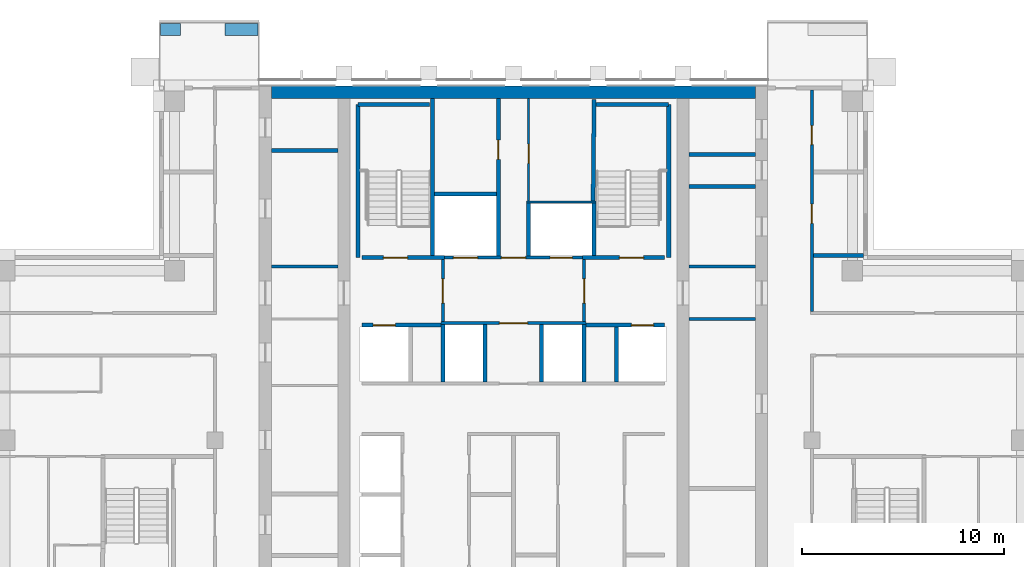
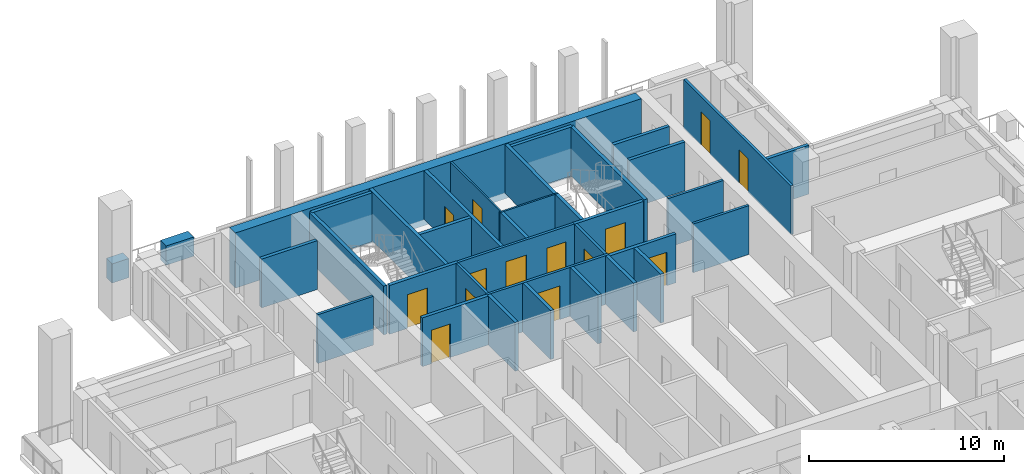
# One storey, part 11 of 17: 36 walls, 14 doors, 14 openings.
"""IFC4 building model written with IfcOpenShell, lengths in metres."""

from ifc_helpers import new_model, si_unit, direction, frame, frame_2d, origin, place, context, subcontext, project, spatial, rectangle, extrude, material, layer, layer_set, type_object, element, fill, save


model = new_model("IFC4")

# Units and contexts
model_context = context("Model", 3, precision=1e-05, world=origin(), true_north=direction((0.0, 1.0)))
body_context = subcontext(model_context, "Body", "Model", "MODEL_VIEW")
ifc_project = project(units=[si_unit("LENGTHUNIT", "METRE"), si_unit("AREAUNIT", "SQUARE_METRE"), si_unit("VOLUMEUNIT", "CUBIC_METRE"), si_unit("PLANEANGLEUNIT", "RADIAN"), si_unit("MASSUNIT", "GRAM", prefix="KILO")], contexts=[model_context])

# Site, building, storey
site_placement = place(None, origin())
site = spatial("IfcSite", under=ifc_project, at=site_placement, CompositionType="ELEMENT")
building_placement = place(site_placement, origin())
building = spatial("IfcBuilding", under=site, at=building_placement, Name="Vermilion Ogive Tower", CompositionType="ELEMENT")
storey_placement = place(building_placement, frame((0.0, 0.0, 192.800048828125)))
storey = spatial("IfcBuildingStorey", under=building, at=storey_placement, Name="L50", CompositionType="ELEMENT", Elevation=192.800048828125)

# Walls
ifc_material_1 = material(Name="Concrete B60", Category="concrete")
ifc_layer_1 = layer(ifc_material_1, 0.60009765625)
ifc_layer_set_1 = layer_set([ifc_layer_1], Name="Core wall 600 B60")
wall_type_1 = type_object("IfcWallType", Name="Core wall 600 B60", PredefinedType="SHEAR", material=ifc_layer_set_1)
wall_1_placement = place(storey_placement, frame((-12.0, 21.449951171875, -0.400146484375), z_axis=(0.0, 0.0, 1.0), x_axis=(1.0, 0.0, 0.0)))
element("IfcWall", 1, at=wall_1_placement, inside=storey, type_object=wall_type_1, Name="L50-CORE-N", PredefinedType="SHEAR", context=body_context, shape_type="SweptSolid", body=[
    extrude(rectangle(XDim=24.0, YDim=0.60009765625, at=frame_2d((12.0, 0.0))), origin(), (0.0, 0.0, 1.0), 3.4501953125),
])
ifc_material_2 = material(Name="Gypsum board partition on steel studs", Category="steel")
ifc_layer_2 = layer(ifc_material_2, 0.10009765625)
ifc_layer_set_2 = layer_set([ifc_layer_2], Name="Partition 100 bath")
wall_type_2 = type_object("IfcWallType", Name="Partition 100 bath", PredefinedType="PARTITIONING", material=ifc_layer_set_2)
wall_2_placement = place(storey_placement, frame((0.64990234375, 16.0, 0.0), z_axis=(0.0, 0.0, 1.0), x_axis=(1.0, 0.0, 0.0)))
element("IfcWall", 2, at=wall_2_placement, inside=storey, type_object=wall_type_2, Name="L50-CK-W-W018", PredefinedType="PARTITIONING", context=body_context, shape_type="SweptSolid", body=[
    extrude(rectangle(XDim=3.4501953125, YDim=0.10009765625, at=frame_2d((1.72509765625, 0.0))), origin(), (0.0, 0.0, 1.0), 3.050048828125),
])

# Wall, opening, door
wall_3_placement = place(storey_placement, frame((0.75, 16.050048828125, 0.0), z_axis=(0.0, 0.0, 1.0), x_axis=(0.0, 1.0, 0.0)))
wall_3 = element("IfcWall", 3, at=wall_3_placement, inside=storey, type_object=wall_type_2, Name="L50-CK-W-W030", PredefinedType="PARTITIONING", context=body_context, shape_type="SweptSolid", body=[
    extrude(rectangle(XDim=5.098876953125, YDim=0.10009765625, at=frame_2d((2.54931640625, 0.0))), origin(), (0.0, 0.0, 1.0), 3.050048828125),
])
opening_1_placement = place(wall_3_placement, frame((1.875, 0.0, 0.0)))
opening_1 = element("IfcOpeningElement", 4, at=opening_1_placement, cuts=wall_3, Name="Opening DAA455", PredefinedType="OPENING", context=body_context, shape_type="SweptSolid", body=[
    extrude(rectangle(XDim=0.949951171875, YDim=2.10009765625, at=frame_2d((0.47509765625, 1.050048828125))), frame((0.0, 0.06005859375, 0.0), z_axis=(0.0, -1.0, 0.0), x_axis=(1.0, 0.0, 0.0)), (0.0, 0.0, 1.0), 0.1201171875),
])
ifc_material_3 = material(Name="Timber door leaf", Category="wood")
door_type_1 = type_object("IfcDoorType", Name="Service door 950 x 2100 FD60", OperationType="SINGLE_SWING_LEFT", PredefinedType="DOOR", material=ifc_material_3)
door_1_placement = place(opening_1_placement, origin())
door_1 = element("IfcDoor", 5, at=door_1_placement, inside=storey, type_object=door_type_1, Name="L50-CK-D-D022", OperationType="SINGLE_SWING_LEFT", OverallHeight=2.10009765625, OverallWidth=0.949951171875, PredefinedType="DOOR", context=body_context, shape_type="SweptSolid", body=[
    extrude(rectangle(XDim=0.949951171875, YDim=2.10009765625, at=frame_2d((0.47509765625, 1.050048828125))), frame((0.0, 0.02490234375, 0.0), z_axis=(0.0, -1.0, 0.0), x_axis=(1.0, 0.0, 0.0)), (0.0, 0.0, 1.0), 0.050048828125),
])
fill(opening_1, door_1)

# Wall, openings, doors
ifc_material_4 = material(Name="Gypsum board partition on steel studs", Category="steel")
ifc_layer_3 = layer(ifc_material_4, 0.14990234375)
ifc_layer_set_3 = layer_set([ifc_layer_3], Name="Partition 150 corridor")
wall_type_3 = type_object("IfcWallType", Name="Partition 150 corridor", PredefinedType="PARTITIONING", material=ifc_layer_set_3)
wall_4_placement = place(storey_placement, frame((14.800048828125, 10.574951171875, 0.0), z_axis=(0.0, 0.0, 1.0), x_axis=(0.0, 1.0, 0.0)))
wall_4 = element("IfcWall", 6, at=wall_4_placement, inside=storey, type_object=wall_type_3, Name="L50-W-W078", PredefinedType="PARTITIONING", context=body_context, shape_type="SweptSolid", body=[
    extrude(rectangle(XDim=10.97509765625, YDim=0.14990234375, at=frame_2d((5.487548828125, 0.0))), origin(), (0.0, 0.0, 1.0), 3.050048828125),
])
opening_2_placement = place(wall_4_placement, frame((4.375, 0.0, 0.0)))
opening_2 = element("IfcOpeningElement", 7, at=opening_2_placement, cuts=wall_4, Name="Opening D4G3023", PredefinedType="OPENING", context=body_context, shape_type="SweptSolid", body=[
    extrude(rectangle(XDim=0.949951171875, YDim=2.10009765625, at=frame_2d((0.47509765625, 1.050048828125))), frame((0.0, 0.0849609375, 0.0), z_axis=(0.0, -1.0, 0.0), x_axis=(1.0, 0.0, 0.0)), (0.0, 0.0, 1.0), 0.169921875),
])
opening_3_placement = place(wall_4_placement, frame((8.275146484375, 0.0, 0.0)))
opening_3 = element("IfcOpeningElement", 8, at=opening_3_placement, cuts=wall_4, Name="Opening D4G3024", PredefinedType="OPENING", context=body_context, shape_type="SweptSolid", body=[
    extrude(rectangle(XDim=0.949951171875, YDim=2.10009765625, at=frame_2d((0.47509765625, 1.050048828125))), frame((0.0, 0.0849609375, 0.0), z_axis=(0.0, -1.0, 0.0), x_axis=(1.0, 0.0, 0.0)), (0.0, 0.0, 1.0), 0.169921875),
])
ifc_material_5 = material(Name="Timber door leaf", Category="wood")
door_type_2 = type_object("IfcDoorType", Name="Unit door 950 x 2100 FD30S", OperationType="SINGLE_SWING_LEFT", PredefinedType="DOOR", material=ifc_material_5)
door_2_placement = place(opening_2_placement, origin())
door_2 = element("IfcDoor", 9, at=door_2_placement, inside=storey, type_object=door_type_2, Name="L50-D-D023", OperationType="SINGLE_SWING_RIGHT", OverallHeight=2.10009765625, OverallWidth=0.949951171875, PredefinedType="DOOR", context=body_context, shape_type="SweptSolid", body=[
    extrude(rectangle(XDim=0.949951171875, YDim=2.10009765625, at=frame_2d((0.47509765625, 1.050048828125))), frame((0.0, 0.02490234375, 0.0), z_axis=(0.0, -1.0, 0.0), x_axis=(1.0, 0.0, 0.0)), (0.0, 0.0, 1.0), 0.050048828125),
])
fill(opening_2, door_2)
door_3_placement = place(opening_3_placement, origin())
door_3 = element("IfcDoor", 10, at=door_3_placement, inside=storey, type_object=door_type_2, Name="L50-D-D024", OperationType="SINGLE_SWING_LEFT", OverallHeight=2.10009765625, OverallWidth=0.949951171875, PredefinedType="DOOR", context=body_context, shape_type="SweptSolid", body=[
    extrude(rectangle(XDim=0.949951171875, YDim=2.10009765625, at=frame_2d((0.47509765625, 1.050048828125))), frame((0.0, 0.02490234375, 0.0), z_axis=(0.0, -1.0, 0.0), x_axis=(1.0, 0.0, 0.0)), (0.0, 0.0, 1.0), 0.050048828125),
])
fill(opening_3, door_3)

# Wall, opening, door
wall_5_placement = place(storey_placement, frame((-3.60009765625, 10.0, 0.0), z_axis=(0.0, 0.0, 1.0), x_axis=(1.0, 0.0, 0.0)))
wall_5 = element("IfcWall", 11, at=wall_5_placement, inside=storey, type_object=wall_type_3, Name="L50-CK-W-W014", PredefinedType="PARTITIONING", context=body_context, shape_type="SweptSolid", body=[
    extrude(rectangle(XDim=7.2001953125, YDim=0.14990234375, at=frame_2d((3.60009765625, 0.0))), origin(), (0.0, 0.0, 1.0), 3.050048828125),
])
opening_4_placement = place(wall_5_placement, frame((2.900146484375, 0.0, 0.0)))
opening_4 = element("IfcOpeningElement", 12, at=opening_4_placement, cuts=wall_5, Name="Opening DAA446", PredefinedType="OPENING", context=body_context, shape_type="SweptSolid", body=[
    extrude(rectangle(XDim=1.39990234375, YDim=2.10009765625, at=frame_2d((0.699951171875, 1.050048828125))), frame((0.0, 0.0849609375, 0.0), z_axis=(0.0, -1.0, 0.0), x_axis=(1.0, 0.0, 0.0)), (0.0, 0.0, 1.0), 0.169921875),
])
ifc_material_6 = material(Name="Timber door leaf", Category="wood")
door_type_3 = type_object("IfcDoorType", Name="Lobby door 1400 x 2100 FD60S", OperationType="SINGLE_SWING_LEFT", PredefinedType="DOOR", material=ifc_material_6)
door_4_placement = place(opening_4_placement, origin())
door_4 = element("IfcDoor", 13, at=door_4_placement, inside=storey, type_object=door_type_3, Name="L50-CK-D-D017", OperationType="SINGLE_SWING_RIGHT", OverallHeight=2.10009765625, OverallWidth=1.39990234375, PredefinedType="DOOR", context=body_context, shape_type="SweptSolid", body=[
    extrude(rectangle(XDim=1.39990234375, YDim=2.10009765625, at=frame_2d((0.699951171875, 1.050048828125))), frame((0.0, 0.02490234375, 0.0), z_axis=(0.0, -1.0, 0.0), x_axis=(1.0, 0.0, 0.0)), (0.0, 0.0, 1.0), 0.050048828125),
])
fill(opening_4, door_4)

# Wall, openings, doors
wall_6_placement = place(storey_placement, frame((-3.574951171875, 13.25, 0.0), z_axis=(0.0, 0.0, 1.0), x_axis=(1.0, 0.0, 0.0)))
wall_6 = element("IfcWall", 14, at=wall_6_placement, inside=storey, type_object=wall_type_3, Name="L50-CK-W-W016", PredefinedType="PARTITIONING", context=body_context, shape_type="SweptSolid", body=[
    extrude(rectangle(XDim=7.14990234375, YDim=0.14990234375, at=frame_2d((3.574951171875, 0.0))), origin(), (0.0, 0.0, 1.0), 3.050048828125),
])
opening_5_placement = place(wall_6_placement, frame((0.599853515625, 0.0, 0.0)))
opening_5 = element("IfcOpeningElement", 15, at=opening_5_placement, cuts=wall_6, Name="Opening DAA466", PredefinedType="OPENING", context=body_context, shape_type="SweptSolid", body=[
    extrude(rectangle(XDim=1.199951171875, YDim=2.10009765625, at=frame_2d((0.60009765625, 1.050048828125))), frame((0.0, 0.0849609375, 0.0), z_axis=(0.0, -1.0, 0.0), x_axis=(1.0, 0.0, 0.0)), (0.0, 0.0, 1.0), 0.169921875),
])
opening_6_placement = place(wall_6_placement, frame((5.39990234375, 0.0, 0.0)))
opening_6 = element("IfcOpeningElement", 16, at=opening_6_placement, cuts=wall_6, Name="Opening DAA465", PredefinedType="OPENING", context=body_context, shape_type="SweptSolid", body=[
    extrude(rectangle(XDim=1.10009765625, YDim=2.10009765625, at=frame_2d((0.550048828125, 1.050048828125))), frame((0.0, 0.0849609375, 0.0), z_axis=(0.0, -1.0, 0.0), x_axis=(1.0, 0.0, 0.0)), (0.0, 0.0, 1.0), 0.169921875),
])
opening_7_placement = place(wall_6_placement, frame((2.974853515625, 0.0, 0.0)))
opening_7 = element("IfcOpeningElement", 17, at=opening_7_placement, cuts=wall_6, Name="Opening DAA447", PredefinedType="OPENING", context=body_context, shape_type="SweptSolid", body=[
    extrude(rectangle(XDim=1.199951171875, YDim=2.10009765625, at=frame_2d((0.60009765625, 1.050048828125))), frame((0.0, 0.0849609375, 0.0), z_axis=(0.0, -1.0, 0.0), x_axis=(1.0, 0.0, 0.0)), (0.0, 0.0, 1.0), 0.169921875),
])
ifc_material_7 = material(Name="Stainless steel", Category="steel")
door_type_4 = type_object("IfcDoorType", Name="Lift landing door 1100 x 2100", OperationType="SLIDING_TO_LEFT", PredefinedType="DOOR", material=ifc_material_7)
door_5_placement = place(opening_6_placement, origin())
door_5 = element("IfcDoor", 18, at=door_5_placement, inside=storey, type_object=door_type_4, Name="L50-CK-D-D019", OperationType="SLIDING_TO_LEFT", OverallHeight=2.10009765625, OverallWidth=1.10009765625, PredefinedType="DOOR", context=body_context, shape_type="SweptSolid", body=[
    extrude(rectangle(XDim=1.10009765625, YDim=2.10009765625, at=frame_2d((0.550048828125, 1.050048828125))), frame((0.0, 0.02490234375, 0.0), z_axis=(0.0, -1.0, 0.0), x_axis=(1.0, 0.0, 0.0)), (0.0, 0.0, 1.0), 0.050048828125),
])
fill(opening_6, door_5)
ifc_material_8 = material(Name="Stainless steel", Category="steel")
door_type_5 = type_object("IfcDoorType", Name="Lift landing door 1200 x 2100", OperationType="SLIDING_TO_LEFT", PredefinedType="DOOR", material=ifc_material_8)
door_6_placement = place(opening_5_placement, origin())
door_6 = element("IfcDoor", 19, at=door_6_placement, inside=storey, type_object=door_type_5, Name="L50-CK-D-D018", OperationType="SLIDING_TO_RIGHT", OverallHeight=2.10009765625, OverallWidth=1.199951171875, PredefinedType="DOOR", context=body_context, shape_type="SweptSolid", body=[
    extrude(rectangle(XDim=1.199951171875, YDim=2.10009765625, at=frame_2d((0.60009765625, 1.050048828125))), frame((0.0, 0.02490234375, 0.0), z_axis=(0.0, -1.0, 0.0), x_axis=(1.0, 0.0, 0.0)), (0.0, 0.0, 1.0), 0.050048828125),
])
fill(opening_5, door_6)
ifc_material_9 = material(Name="Timber door leaf", Category="wood")
door_type_6 = type_object("IfcDoorType", Name="Service door 1200 x 2100 FD60", OperationType="SINGLE_SWING_LEFT", PredefinedType="DOOR", material=ifc_material_9)
door_7_placement = place(opening_7_placement, origin())
door_7 = element("IfcDoor", 20, at=door_7_placement, inside=storey, type_object=door_type_6, Name="L50-CK-D-D020", OperationType="SINGLE_SWING_RIGHT", OverallHeight=2.10009765625, OverallWidth=1.199951171875, PredefinedType="DOOR", context=body_context, shape_type="SweptSolid", body=[
    extrude(rectangle(XDim=1.199951171875, YDim=2.10009765625, at=frame_2d((0.60009765625, 1.050048828125))), frame((0.0, 0.02490234375, 0.0), z_axis=(0.0, -1.0, 0.0), x_axis=(1.0, 0.0, 0.0)), (0.0, 0.0, 1.0), 0.050048828125),
])
fill(opening_7, door_7)

# Wall, opening, door
wall_7_placement = place(storey_placement, frame((-3.5, 10.074951171875, 0.0), z_axis=(0.0, 0.0, 1.0), x_axis=(0.0, 1.0, 0.0)))
wall_7 = element("IfcWall", 21, at=wall_7_placement, inside=storey, type_object=wall_type_3, Name="L50-CK-W-W024", PredefinedType="PARTITIONING", context=body_context, shape_type="SweptSolid", body=[
    extrude(rectangle(XDim=3.074951171875, YDim=0.14990234375, at=frame_2d((1.53759765625, 0.0))), origin(), (0.0, 0.0, 1.0), 3.050048828125),
])
opening_8_placement = place(wall_7_placement, frame((0.925048828125, 0.0, 0.0)))
opening_8 = element("IfcOpeningElement", 22, at=opening_8_placement, cuts=wall_7, Name="Opening DAA443", PredefinedType="OPENING", context=body_context, shape_type="SweptSolid", body=[
    extrude(rectangle(XDim=1.199951171875, YDim=2.10009765625, at=frame_2d((0.60009765625, 1.050048828125))), frame((0.0, 0.0849609375, 0.0), z_axis=(0.0, -1.0, 0.0), x_axis=(1.0, 0.0, 0.0)), (0.0, 0.0, 1.0), 0.169921875),
])
ifc_material_10 = material(Name="Timber door leaf", Category="wood")
door_type_7 = type_object("IfcDoorType", Name="Lobby door 1200 x 2100 FD60S", OperationType="SINGLE_SWING_LEFT", PredefinedType="DOOR", material=ifc_material_10)
door_8_placement = place(opening_8_placement, origin())
door_8 = element("IfcDoor", 23, at=door_8_placement, inside=storey, type_object=door_type_7, Name="L50-CK-D-D023", OperationType="SINGLE_SWING_RIGHT", OverallHeight=2.10009765625, OverallWidth=1.199951171875, PredefinedType="DOOR", context=body_context, shape_type="SweptSolid", body=[
    extrude(rectangle(XDim=1.199951171875, YDim=2.10009765625, at=frame_2d((0.60009765625, 1.050048828125))), frame((0.0, 0.02490234375, 0.0), z_axis=(0.0, -1.0, 0.0), x_axis=(1.0, 0.0, 0.0)), (0.0, 0.0, 1.0), 0.050048828125),
])
fill(opening_8, door_8)

wall_8_placement = place(storey_placement, frame((3.5, 10.074951171875, 0.0), z_axis=(0.0, 0.0, 1.0), x_axis=(0.0, 1.0, 0.0)))
wall_8 = element("IfcWall", 24, at=wall_8_placement, inside=storey, type_object=wall_type_3, Name="L50-CK-W-W034", PredefinedType="PARTITIONING", context=body_context, shape_type="SweptSolid", body=[
    extrude(rectangle(XDim=3.074951171875, YDim=0.14990234375, at=frame_2d((1.53759765625, 0.0))), origin(), (0.0, 0.0, 1.0), 3.050048828125),
])
opening_9_placement = place(wall_8_placement, frame((0.925048828125, 0.0, 0.0)))
opening_9 = element("IfcOpeningElement", 25, at=opening_9_placement, cuts=wall_8, Name="Opening DAA444", PredefinedType="OPENING", context=body_context, shape_type="SweptSolid", body=[
    extrude(rectangle(XDim=1.199951171875, YDim=2.10009765625, at=frame_2d((0.60009765625, 1.050048828125))), frame((0.0, 0.0849609375, 0.0), z_axis=(0.0, -1.0, 0.0), x_axis=(1.0, 0.0, 0.0)), (0.0, 0.0, 1.0), 0.169921875),
])
door_9_placement = place(opening_9_placement, origin())
door_9 = element("IfcDoor", 26, at=door_9_placement, inside=storey, type_object=door_type_7, Name="L50-CK-D-D024", OperationType="SINGLE_SWING_LEFT", OverallHeight=2.10009765625, OverallWidth=1.199951171875, PredefinedType="DOOR", context=body_context, shape_type="SweptSolid", body=[
    extrude(rectangle(XDim=1.199951171875, YDim=2.10009765625, at=frame_2d((0.60009765625, 1.050048828125))), frame((0.0, 0.02490234375, 0.0), z_axis=(0.0, -1.0, 0.0), x_axis=(1.0, 0.0, 0.0)), (0.0, 0.0, 1.0), 0.050048828125),
])
fill(opening_9, door_9)

# Walls
for number, where, z_axis, x_axis, name in (
    (27, (-11.9990234375, 12.800048828125, 0.0), (0.0, 0.0, 1.0), (1.0, 0.0, 0.0), "L50-CKW-W-W005"),
    (28, (8.700927734375, 10.199951171875, 0.0), (0.0, 0.0, 1.0), (1.0, 0.0, 0.0), "L50-CKE-W-W002"),
    (29, (8.700927734375, 12.800048828125, 0.0), (0.0, 0.0, 1.0), (1.0, 0.0, 0.0), "L50-CKE-W-W003"),
):
    element("IfcWall", number, at=place(storey_placement, frame(where, z_axis=z_axis, x_axis=x_axis)), inside=storey, type_object=wall_type_3, Name=name, PredefinedType="PARTITIONING", context=body_context, shape_type="SweptSolid", body=[
        extrude(rectangle(XDim=3.298095703125, YDim=0.14990234375, at=frame_2d((1.64892578125, 0.0))), origin(), (0.0, 0.0, 1.0), 3.050048828125),
    ])
ifc_material_11 = material(Name="Gypsum board partition on steel studs", Category="steel")
ifc_layer_4 = layer(ifc_material_11, 0.199951171875)
ifc_layer_set_4 = layer_set([ifc_layer_4], Name="Partition 200 party")
wall_type_4 = type_object("IfcWallType", Name="Partition 200 party", PredefinedType="PARTITIONING", material=ifc_layer_set_4)
wall_9_placement = place(storey_placement, frame((14.875, 13.35009765625, 0.0), z_axis=(0.0, 0.0, 1.0), x_axis=(1.0, 0.0, 0.0)))
element("IfcWall", 30, at=wall_9_placement, inside=storey, type_object=wall_type_4, Name="L50-W-W043", PredefinedType="PARTITIONING", context=body_context, shape_type="SweptSolid", body=[
    extrude(rectangle(XDim=2.47509765625, YDim=0.199951171875, at=frame_2d((1.237548828125, 0.0))), origin(), (0.0, 0.0, 1.0), 3.050048828125),
])

# Wall, opening, door
wall_10_placement = place(storey_placement, frame((-7.5, 9.89990234375, 0.0), z_axis=(0.0, 0.0, 1.0), x_axis=(1.0, 0.0, 0.0)))
wall_10 = element("IfcWall", 31, at=wall_10_placement, inside=storey, type_object=wall_type_4, Name="L50-CK-W-W012", PredefinedType="PARTITIONING", context=body_context, shape_type="SweptSolid", body=[
    extrude(rectangle(XDim=3.89990234375, YDim=0.199951171875, at=frame_2d((1.949951171875, 0.0))), origin(), (0.0, 0.0, 1.0), 3.050048828125),
])
opening_10_placement = place(wall_10_placement, frame((0.550048828125, 0.0, 0.0)))
opening_10 = element("IfcOpeningElement", 32, at=opening_10_placement, cuts=wall_10, Name="Opening DAA463", PredefinedType="OPENING", context=body_context, shape_type="SweptSolid", body=[
    extrude(rectangle(XDim=1.10009765625, YDim=2.10009765625, at=frame_2d((0.550048828125, 1.050048828125))), frame((0.0, 0.10986328125, 0.0), z_axis=(0.0, -1.0, 0.0), x_axis=(1.0, 0.0, 0.0)), (0.0, 0.0, 1.0), 0.219970703125),
])
door_10_placement = place(opening_10_placement, origin())
door_10 = element("IfcDoor", 33, at=door_10_placement, inside=storey, type_object=door_type_4, Name="L50-CK-D-D013", OperationType="SLIDING_TO_RIGHT", OverallHeight=2.10009765625, OverallWidth=1.10009765625, PredefinedType="DOOR", context=body_context, shape_type="SweptSolid", body=[
    extrude(rectangle(XDim=1.10009765625, YDim=2.10009765625, at=frame_2d((0.550048828125, 1.050048828125))), frame((0.0, 0.02490234375, 0.0), z_axis=(0.0, -1.0, 0.0), x_axis=(1.0, 0.0, 0.0)), (0.0, 0.0, 1.0), 0.050048828125),
])
fill(opening_10, door_10)

wall_11_placement = place(storey_placement, frame((3.60009765625, 9.89990234375, 0.0), z_axis=(0.0, 0.0, 1.0), x_axis=(1.0, 0.0, 0.0)))
wall_11 = element("IfcWall", 34, at=wall_11_placement, inside=storey, type_object=wall_type_4, Name="L50-CK-W-W013", PredefinedType="PARTITIONING", context=body_context, shape_type="SweptSolid", body=[
    extrude(rectangle(XDim=3.89990234375, YDim=0.199951171875, at=frame_2d((1.949951171875, 0.0))), origin(), (0.0, 0.0, 1.0), 3.050048828125),
])
opening_11_placement = place(wall_11_placement, frame((2.25, 0.0, 0.0)))
opening_11 = element("IfcOpeningElement", 35, at=opening_11_placement, cuts=wall_11, Name="Opening DAA464", PredefinedType="OPENING", context=body_context, shape_type="SweptSolid", body=[
    extrude(rectangle(XDim=1.10009765625, YDim=2.10009765625, at=frame_2d((0.550048828125, 1.050048828125))), frame((0.0, 0.10986328125, 0.0), z_axis=(0.0, -1.0, 0.0), x_axis=(1.0, 0.0, 0.0)), (0.0, 0.0, 1.0), 0.219970703125),
])
door_11_placement = place(opening_11_placement, origin())
door_11 = element("IfcDoor", 36, at=door_11_placement, inside=storey, type_object=door_type_4, Name="L50-CK-D-D015", OperationType="SLIDING_TO_LEFT", OverallHeight=2.10009765625, OverallWidth=1.10009765625, PredefinedType="DOOR", context=body_context, shape_type="SweptSolid", body=[
    extrude(rectangle(XDim=1.10009765625, YDim=2.10009765625, at=frame_2d((0.550048828125, 1.050048828125))), frame((0.0, 0.02490234375, 0.0), z_axis=(0.0, -1.0, 0.0), x_axis=(1.0, 0.0, 0.0)), (0.0, 0.0, 1.0), 0.050048828125),
])
fill(opening_11, door_11)

# Walls
wall_12_placement = place(storey_placement, frame((-3.89990234375, 16.39990234375, 0.0), z_axis=(0.0, 0.0, 1.0), x_axis=(1.0, 0.0, 0.0)))
element("IfcWall", 37, at=wall_12_placement, inside=storey, type_object=wall_type_4, Name="L50-CK-W-W019", PredefinedType="PARTITIONING", context=body_context, shape_type="SweptSolid", body=[
    extrude(rectangle(XDim=3.0498046875, YDim=0.199951171875, at=frame_2d((1.52490234375, 0.0))), origin(), (0.0, 0.0, 1.0), 3.050048828125),
])
for number, where, z_axis, x_axis, name in (
    (38, (-3.5, 7.074951171875, 0.0), (0.0, 0.0, 1.0), (0.0, 1.0, 0.0), "L50-CK-W-W023"),
    (39, (-1.39990234375, 7.074951171875, 0.0), (0.0, 0.0, 1.0), (0.0, 1.0, 0.0), "L50-CK-W-W026"),
):
    element("IfcWall", number, at=place(storey_placement, frame(where, z_axis=z_axis, x_axis=x_axis)), inside=storey, type_object=wall_type_4, Name=name, PredefinedType="PARTITIONING", context=body_context, shape_type="SweptSolid", body=[
        extrude(rectangle(XDim=2.85009765625, YDim=0.199951171875, at=frame_2d((1.425048828125, 0.0))), origin(), (0.0, 0.0, 1.0), 3.050048828125),
    ])

# Wall, opening, door
wall_13_placement = place(storey_placement, frame((-0.75, 13.324951171875, 0.0), z_axis=(0.0, 0.0, 1.0), x_axis=(0.0, 1.0, 0.0)))
wall_13 = element("IfcWall", 40, at=wall_13_placement, inside=storey, type_object=wall_type_4, Name="L50-CK-W-W027", PredefinedType="PARTITIONING", context=body_context, shape_type="SweptSolid", body=[
    extrude(rectangle(XDim=7.823974609375, YDim=0.199951171875, at=frame_2d((3.912109375, 0.0))), origin(), (0.0, 0.0, 1.0), 3.050048828125),
])
opening_12_placement = place(wall_13_placement, frame((4.800048828125, 0.0, 0.0)))
opening_12 = element("IfcOpeningElement", 41, at=opening_12_placement, cuts=wall_13, Name="Opening DAA454", PredefinedType="OPENING", context=body_context, shape_type="SweptSolid", body=[
    extrude(rectangle(XDim=0.949951171875, YDim=2.10009765625, at=frame_2d((0.47509765625, 1.050048828125))), frame((0.0, 0.10986328125, 0.0), z_axis=(0.0, -1.0, 0.0), x_axis=(1.0, 0.0, 0.0)), (0.0, 0.0, 1.0), 0.219970703125),
])
door_12_placement = place(opening_12_placement, origin())
door_12 = element("IfcDoor", 42, at=door_12_placement, inside=storey, type_object=door_type_1, Name="L50-CK-D-D021", OperationType="SINGLE_SWING_RIGHT", OverallHeight=2.10009765625, OverallWidth=0.949951171875, PredefinedType="DOOR", context=body_context, shape_type="SweptSolid", body=[
    extrude(rectangle(XDim=0.949951171875, YDim=2.10009765625, at=frame_2d((0.47509765625, 1.050048828125))), frame((0.0, 0.02490234375, 0.0), z_axis=(0.0, -1.0, 0.0), x_axis=(1.0, 0.0, 0.0)), (0.0, 0.0, 1.0), 0.050048828125),
])
fill(opening_12, door_12)

# Walls
wall_14_placement = place(storey_placement, frame((0.75, 13.324951171875, 0.0), z_axis=(0.0, 0.0, 1.0), x_axis=(0.0, 1.0, 0.0)))
element("IfcWall", 43, at=wall_14_placement, inside=storey, type_object=wall_type_4, Name="L50-CK-W-W029", PredefinedType="PARTITIONING", context=body_context, shape_type="SweptSolid", body=[
    extrude(rectangle(XDim=2.625, YDim=0.199951171875, at=frame_2d((1.3125, 0.0))), origin(), (0.0, 0.0, 1.0), 3.050048828125),
])
for number, where, z_axis, x_axis, name in (
    (44, (1.39990234375, 7.074951171875, 0.0), (0.0, 0.0, 1.0), (0.0, 1.0, 0.0), "L50-CK-W-W031"),
    (45, (3.5, 7.074951171875, 0.0), (0.0, 0.0, 1.0), (0.0, 1.0, 0.0), "L50-CK-W-W033"),
):
    element("IfcWall", number, at=place(storey_placement, frame(where, z_axis=z_axis, x_axis=x_axis)), inside=storey, type_object=wall_type_4, Name=name, PredefinedType="PARTITIONING", context=body_context, shape_type="SweptSolid", body=[
        extrude(rectangle(XDim=2.85009765625, YDim=0.199951171875, at=frame_2d((1.425048828125, 0.0))), origin(), (0.0, 0.0, 1.0), 3.050048828125),
    ])
wall_15_placement = place(storey_placement, frame((5.10009765625, 7.074951171875, 0.0), z_axis=(0.0, 0.0, 1.0), x_axis=(0.0, 1.0, 0.0)))
element("IfcWall", 46, at=wall_15_placement, inside=storey, type_object=wall_type_4, Name="L50-CK-W-W037", PredefinedType="PARTITIONING", context=body_context, shape_type="SweptSolid", body=[
    extrude(rectangle(XDim=2.72509765625, YDim=0.199951171875, at=frame_2d((1.362548828125, 0.0))), origin(), (0.0, 0.0, 1.0), 3.050048828125),
])
for number, where, z_axis, x_axis, name in (
    (47, (-11.9990234375, 18.56005859375, 0.0), (0.0, 0.0, 1.0), (1.0, 0.0, 0.0), "L50-CKW-W-W006"),
    (48, (8.700927734375, 16.7880859375, 0.0), (0.0, 0.0, 1.0), (1.0, 0.0, 0.0), "L50-CKE-W-W004"),
    (49, (8.700927734375, 18.373046875, 0.0), (0.0, 0.0, 1.0), (1.0, 0.0, 0.0), "L50-CKE-W-W005"),
):
    element("IfcWall", number, at=place(storey_placement, frame(where, z_axis=z_axis, x_axis=x_axis)), inside=storey, type_object=wall_type_4, Name=name, PredefinedType="PARTITIONING", context=body_context, shape_type="SweptSolid", body=[
        extrude(rectangle(XDim=3.298095703125, YDim=0.199951171875, at=frame_2d((1.64892578125, 0.0))), origin(), (0.0, 0.0, 1.0), 3.050048828125),
    ])

# Wall, opening, door
ifc_material_12 = material(Name="Concrete B60", Category="concrete")
ifc_layer_5 = layer(ifc_material_12, 0.199951171875)
ifc_layer_set_5 = layer_set([ifc_layer_5], Name="Stair shaft wall 200 Concrete B60")
wall_type_5 = type_object("IfcWallType", Name="Stair shaft wall 200 Concrete B60", PredefinedType="SOLIDWALL", material=ifc_layer_set_5)
wall_16_placement = place(storey_placement, frame((-7.5, 13.25, 0.0), z_axis=(0.0, 0.0, 1.0), x_axis=(1.0, 0.0, 0.0)))
wall_16 = element("IfcWall", 50, at=wall_16_placement, inside=storey, type_object=wall_type_5, Name="L50-CK-W-W015", PredefinedType="SOLIDWALL", context=body_context, shape_type="SweptSolid", body=[
    extrude(rectangle(XDim=4.074951171875, YDim=0.199951171875, at=frame_2d((2.03759765625, 0.0))), origin(), (0.0, 0.0, 1.0), 3.050048828125),
])
opening_13_placement = place(wall_16_placement, frame((1.050048828125, 0.0, 0.0)))
opening_13 = element("IfcOpeningElement", 51, at=opening_13_placement, cuts=wall_16, Name="Opening DAA456", PredefinedType="OPENING", context=body_context, shape_type="SweptSolid", body=[
    extrude(rectangle(XDim=1.199951171875, YDim=2.10009765625, at=frame_2d((0.60009765625, 1.050048828125))), frame((0.0, 0.10986328125, 0.0), z_axis=(0.0, -1.0, 0.0), x_axis=(1.0, 0.0, 0.0)), (0.0, 0.0, 1.0), 0.219970703125),
])
ifc_material_13 = material(Name="Timber door leaf", Category="wood")
door_type_8 = type_object("IfcDoorType", Name="Stair door 1200 x 2100 FD60S", OperationType="SINGLE_SWING_LEFT", PredefinedType="DOOR", material=ifc_material_13)
door_13_placement = place(opening_13_placement, origin())
door_13 = element("IfcDoor", 52, at=door_13_placement, inside=storey, type_object=door_type_8, Name="L50-CK-D-D012", OperationType="SINGLE_SWING_LEFT", OverallHeight=2.10009765625, OverallWidth=1.199951171875, PredefinedType="DOOR", context=body_context, shape_type="SweptSolid", body=[
    extrude(rectangle(XDim=1.199951171875, YDim=2.10009765625, at=frame_2d((0.60009765625, 1.050048828125))), frame((0.0, 0.02490234375, 0.0), z_axis=(0.0, -1.0, 0.0), x_axis=(1.0, 0.0, 0.0)), (0.0, 0.0, 1.0), 0.050048828125),
])
fill(opening_13, door_13)

wall_17_placement = place(storey_placement, frame((3.425048828125, 13.25, 0.0), z_axis=(0.0, 0.0, 1.0), x_axis=(1.0, 0.0, 0.0)))
wall_17 = element("IfcWall", 53, at=wall_17_placement, inside=storey, type_object=wall_type_5, Name="L50-CK-W-W017", PredefinedType="SOLIDWALL", context=body_context, shape_type="SweptSolid", body=[
    extrude(rectangle(XDim=4.074951171875, YDim=0.199951171875, at=frame_2d((2.03759765625, 0.0))), origin(), (0.0, 0.0, 1.0), 3.050048828125),
])
opening_14_placement = place(wall_17_placement, frame((1.824951171875, 0.0, 0.0)))
opening_14 = element("IfcOpeningElement", 54, at=opening_14_placement, cuts=wall_17, Name="Opening DAA457", PredefinedType="OPENING", context=body_context, shape_type="SweptSolid", body=[
    extrude(rectangle(XDim=1.199951171875, YDim=2.10009765625, at=frame_2d((0.60009765625, 1.050048828125))), frame((0.0, 0.10986328125, 0.0), z_axis=(0.0, -1.0, 0.0), x_axis=(1.0, 0.0, 0.0)), (0.0, 0.0, 1.0), 0.219970703125),
])
door_14_placement = place(opening_14_placement, origin())
door_14 = element("IfcDoor", 55, at=door_14_placement, inside=storey, type_object=door_type_8, Name="L50-CK-D-D014", OperationType="SINGLE_SWING_RIGHT", OverallHeight=2.10009765625, OverallWidth=1.199951171875, PredefinedType="DOOR", context=body_context, shape_type="SweptSolid", body=[
    extrude(rectangle(XDim=1.199951171875, YDim=2.10009765625, at=frame_2d((0.60009765625, 1.050048828125))), frame((0.0, 0.02490234375, 0.0), z_axis=(0.0, -1.0, 0.0), x_axis=(1.0, 0.0, 0.0)), (0.0, 0.0, 1.0), 0.050048828125),
])
fill(opening_14, door_14)

# Walls
wall_18_placement = place(storey_placement, frame((-4.0, 13.35009765625, 0.0), z_axis=(0.0, 0.0, 1.0), x_axis=(0.0, 1.0, 0.0)))
element("IfcWall", 56, at=wall_18_placement, inside=storey, type_object=wall_type_5, Name="L50-CK-W-W022", PredefinedType="SOLIDWALL", context=body_context, shape_type="SweptSolid", body=[
    extrude(rectangle(XDim=7.798828125, YDim=0.199951171875, at=frame_2d((3.8994140625, 0.0))), origin(), (0.0, 0.0, 1.0), 3.050048828125),
])
wall_19_placement = place(storey_placement, frame((4.0, 13.35009765625, 0.0), z_axis=(0.0, 0.0, 1.0), x_axis=(0.0, 1.0, 0.0)))
element("IfcWall", 57, at=wall_19_placement, inside=storey, type_object=wall_type_5, Name="L50-CK-W-W035", PredefinedType="SOLIDWALL", context=body_context, shape_type="SweptSolid", body=[
    extrude(rectangle(XDim=2.599853515625, YDim=0.199951171875, at=frame_2d((1.2998046875, 0.0))), origin(), (0.0, 0.0, 1.0), 3.050048828125),
])
wall_20_placement = place(storey_placement, frame((3.949951171875, 16.050048828125, 0.0), z_axis=(0.0, 0.0, 1.0), x_axis=(0.009911993103, 0.99995087499, 0.0)))
element("IfcWall", 58, at=wall_20_placement, inside=storey, type_object=wall_type_5, Name="L50-CK-W-W036", PredefinedType="SOLIDWALL", context=body_context, shape_type="SweptSolid", body=[
    extrude(rectangle(XDim=5.04931640625, YDim=0.199951171875, at=frame_2d((2.524658203125, 0.0))), origin(), (0.0, 0.0, 1.0), 3.050048828125),
])
wall_21_placement = place(storey_placement, frame((-7.699951171875, 13.25, 0.0), z_axis=(0.0, 0.0, 1.0), x_axis=(0.0, 1.0, 0.0)))
element("IfcWall", 59, at=wall_21_placement, inside=storey, type_object=wall_type_5, Name="L50-SW-R017-W1", PredefinedType="SOLIDWALL", context=body_context, shape_type="SweptSolid", body=[
    extrude(rectangle(XDim=7.60009765625, YDim=0.199951171875, at=frame_2d((3.800048828125, 0.0))), origin(), (0.0, 0.0, 1.0), 3.050048828125),
])
wall_22_placement = place(storey_placement, frame((-7.699951171875, 20.85009765625, 0.0), z_axis=(0.0, 0.0, 1.0), x_axis=(1.0, 0.0, 0.0)))
element("IfcWall", 60, at=wall_22_placement, inside=storey, type_object=wall_type_5, Name="L50-SW-R017-N1", PredefinedType="SOLIDWALL", context=body_context, shape_type="SweptSolid", body=[
    extrude(rectangle(XDim=3.550048828125, YDim=0.199951171875, at=frame_2d((1.77490234375, 0.0))), origin(), (0.0, 0.0, 1.0), 3.050048828125),
])
wall_23_placement = place(storey_placement, frame((7.699951171875, 13.25, 0.0), z_axis=(0.0, 0.0, 1.0), x_axis=(0.0, 1.0, 0.0)))
element("IfcWall", 61, at=wall_23_placement, inside=storey, type_object=wall_type_5, Name="L50-SW-R021-E1", PredefinedType="SOLIDWALL", context=body_context, shape_type="SweptSolid", body=[
    extrude(rectangle(XDim=7.60009765625, YDim=0.199951171875, at=frame_2d((3.800048828125, 0.0))), origin(), (0.0, 0.0, 1.0), 3.050048828125),
])
wall_24_placement = place(storey_placement, frame((4.10009765625, 20.85009765625, 0.0), z_axis=(0.0, 0.0, 1.0), x_axis=(1.0, 0.0, 0.0)))
element("IfcWall", 62, at=wall_24_placement, inside=storey, type_object=wall_type_5, Name="L50-SW-R021-N1", PredefinedType="SOLIDWALL", context=body_context, shape_type="SweptSolid", body=[
    extrude(rectangle(XDim=3.599853515625, YDim=0.199951171875, at=frame_2d((1.7998046875, 0.0))), origin(), (0.0, 0.0, 1.0), 3.050048828125),
])
ifc_material_14 = material(Name="Concrete B40", Category="concrete")
ifc_layer_6 = layer(ifc_material_14, 0.60009765625)
ifc_layer_set_6 = layer_set([ifc_layer_6], Name="Structural planter")
wall_type_6 = type_object("IfcWallType", Name="Structural planter", PredefinedType="USERDEFINED", material=ifc_layer_set_6)
wall_25_placement = place(storey_placement, frame((-12.659912109375, 24.550048828125, -0.0400390625), z_axis=(0.0, 0.0, 1.0), x_axis=(-1.0, 0.0, 0.0)))
element("IfcWall", 63, at=wall_25_placement, inside=storey, type_object=wall_type_6, Name="Planter N201A1", ObjectType="PLANTER", PredefinedType="USERDEFINED", context=body_context, shape_type="SweptSolid", body=[
    extrude(rectangle(XDim=1.64013671875, YDim=0.60009765625, at=frame_2d((0.820068359375, 0.0))), origin(), (0.0, 0.0, 1.0), 1.199951171875),
])
wall_26_placement = place(storey_placement, frame((-16.5, 24.550048828125, -0.0400390625), z_axis=(0.0, 0.0, 1.0), x_axis=(-1.0, 0.0, 0.0)))
element("IfcWall", 64, at=wall_26_placement, inside=storey, type_object=wall_type_6, Name="Planter N201A2", ObjectType="PLANTER", PredefinedType="USERDEFINED", context=body_context, shape_type="SweptSolid", body=[
    extrude(rectangle(XDim=0.989990234375, YDim=0.60009765625, at=frame_2d((0.4951171875, 0.0))), origin(), (0.0, 0.0, 1.0), 1.199951171875),
])

save(model, "model.ifc")
